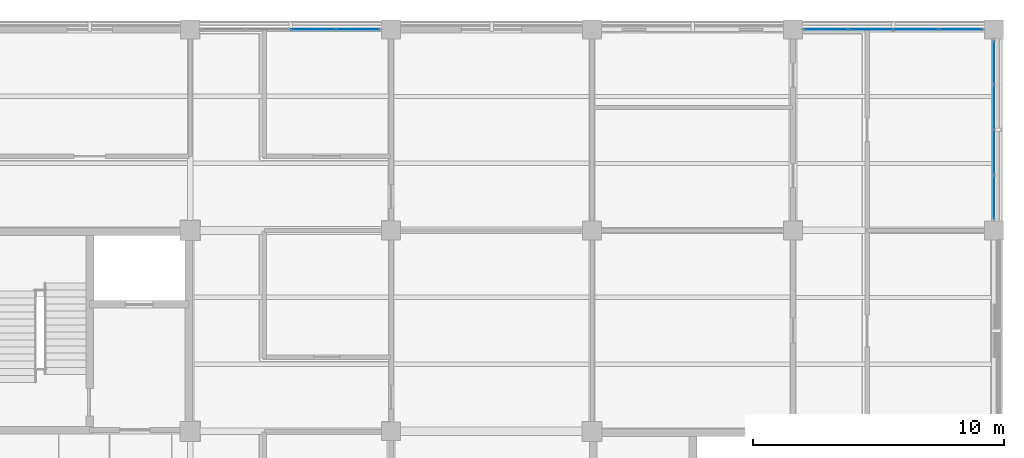
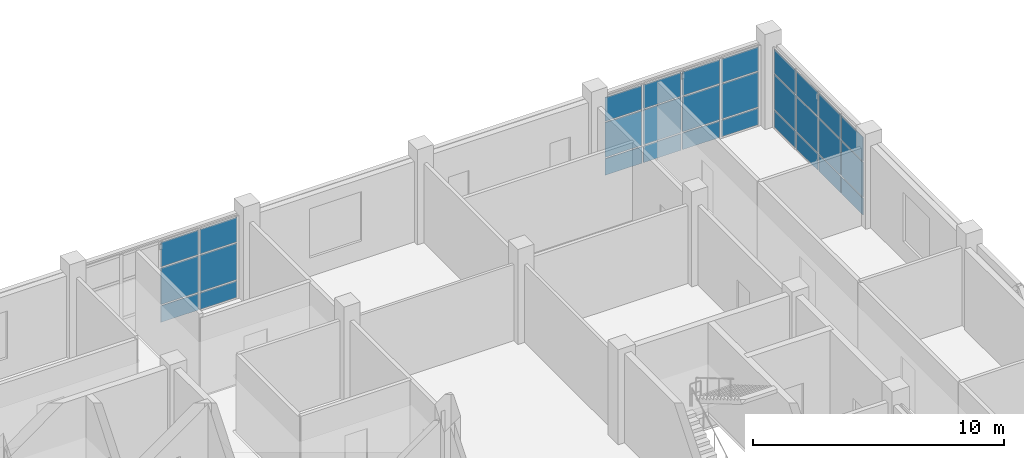
# One storey, part 73 of 121: 30 plates, 3 elements without a shape of their own.
"""IFC4 building model written with IfcOpenShell, lengths in metres."""

from ifc_helpers import new_model, si_unit, derived_unit, direction, frame, origin, origin_2d, place, context, subcontext, project, spatial, rectangle, extrude, material, layer, layer_set, type_object, element, aggregate, save


model = new_model("IFC4")

# Units and contexts
model_context = context("Model", 3, precision=1e-05, world=origin(), true_north=direction((0.0, 1.0)))
body_context = subcontext(model_context, "Body", "Model", "MODEL_VIEW")
ifc_project = project(units=[si_unit("LENGTHUNIT", "METRE"), si_unit("AREAUNIT", "SQUARE_METRE"), si_unit("VOLUMEUNIT", "CUBIC_METRE"), si_unit("PLANEANGLEUNIT", "RADIAN"), si_unit("MASSUNIT", "GRAM", prefix="KILO"), derived_unit("THERMALTRANSMITTANCEUNIT", [(si_unit("MASSUNIT", "GRAM", prefix="KILO"), 1), (si_unit("TIMEUNIT", "SECOND"), -3), (si_unit("THERMODYNAMICTEMPERATUREUNIT", "KELVIN"), -1)])], contexts=[model_context])

# Site, building, storey
site_placement = place(None, origin())
site = spatial("IfcSite", under=ifc_project, at=site_placement, CompositionType="ELEMENT")
building_placement = place(site_placement, origin())
building = spatial("IfcBuilding", under=site, at=building_placement, Name="Veyamyaing Civic Hall", CompositionType="ELEMENT")
storey_placement = place(building_placement, frame((0.0, 0.0, 5.280029296875)))
storey = spatial("IfcBuildingStorey", under=building, at=storey_placement, Name="L01", CompositionType="ELEMENT", Elevation=5.280029296875)

# Curtain wall, plates
ifc_material_1 = material(Name="Anodised aluminium 6063-T6", Category="aluminium")
ifc_layer_1 = layer(ifc_material_1, 0.159912109375, Name="Anodised aluminium 6063-T6")
ifc_layer_set_1 = layer_set([ifc_layer_1], Name="Anodised aluminium 6063-T6")
curtain_wall_type = type_object("IfcCurtainWallType", Name="CW-02", PredefinedType="NOTDEFINED", material=ifc_layer_set_1)
curtain_wall_1_placement = place(storey_placement, origin())
curtain_wall_1 = element("IfcCurtainWall", 1, at=curtain_wall_1_placement, inside=storey, type_object=curtain_wall_type, Name="Unitized curtain wall CW-02 L01 N 22.14", PredefinedType="NOTDEFINED")
ifc_material_2 = material(Name="Low-E insulated glass", Category="glass")
ifc_layer_2 = layer(ifc_material_2, 0.028076171875, Name="Low-E insulated glass")
ifc_layer_set_2 = layer_set([ifc_layer_2], Name="Low-E insulated glass")
plate_type_1 = type_object("IfcPlateType", Name="CWP-01", PredefinedType="CURTAIN_PANEL", material=ifc_layer_set_2)
plate_1_placement = place(storey_placement, frame((169.320068359375, 112.0, 0.06494140625), z_axis=(0.0, 0.0, 1.0), x_axis=(1.0, 0.0, 0.0)))
plate_1 = element("IfcPlate", 2, at=plate_1_placement, type_object=plate_type_1, Name="CW-02 panel 1.1", PredefinedType="CURTAIN_PANEL", context=body_context, shape_type="SweptSolid", body=[
    extrude(rectangle(XDim=1.699951171875, YDim=0.028076171875, at=origin_2d()), origin(), (0.0, 0.0, 1.0), 0.802490234375),
])
plate_2_placement = place(storey_placement, frame((169.320068359375, 112.0, 0.932373046875), z_axis=(0.0, 0.0, 1.0), x_axis=(1.0, 0.0, 0.0)))
plate_2 = element("IfcPlate", 3, at=plate_2_placement, type_object=plate_type_1, Name="CW-02 panel 1.2", PredefinedType="CURTAIN_PANEL", context=body_context, shape_type="SweptSolid", body=[
    extrude(rectangle(XDim=1.699951171875, YDim=0.028076171875, at=origin_2d()), origin(), (0.0, 0.0, 1.0), 1.69384765625),
])
plate_3_placement = place(storey_placement, frame((169.320068359375, 112.0, 2.691162109375), z_axis=(0.0, 0.0, 1.0), x_axis=(1.0, 0.0, 0.0)))
plate_3 = element("IfcPlate", 4, at=plate_3_placement, type_object=plate_type_1, Name="CW-02 panel 1.3", PredefinedType="CURTAIN_PANEL", context=body_context, shape_type="SweptSolid", body=[
    extrude(rectangle(XDim=1.699951171875, YDim=0.028076171875, at=origin_2d()), origin(), (0.0, 0.0, 1.0), 1.15380859375),
])
plate_4_placement = place(storey_placement, frame((171.101318359375, 112.0, 0.06494140625), z_axis=(0.0, 0.0, 1.0), x_axis=(1.0, 0.0, 0.0)))
plate_4 = element("IfcPlate", 5, at=plate_4_placement, type_object=plate_type_1, Name="CW-02 panel 2.1", PredefinedType="CURTAIN_PANEL", context=body_context, shape_type="SweptSolid", body=[
    extrude(rectangle(XDim=1.732421875, YDim=0.028076171875, at=origin_2d()), origin(), (0.0, 0.0, 1.0), 0.802490234375),
])
plate_5_placement = place(storey_placement, frame((171.101318359375, 112.0, 0.932373046875), z_axis=(0.0, 0.0, 1.0), x_axis=(1.0, 0.0, 0.0)))
plate_5 = element("IfcPlate", 6, at=plate_5_placement, type_object=plate_type_1, Name="CW-02 panel 2.2", PredefinedType="CURTAIN_PANEL", context=body_context, shape_type="SweptSolid", body=[
    extrude(rectangle(XDim=1.732421875, YDim=0.028076171875, at=origin_2d()), origin(), (0.0, 0.0, 1.0), 1.69384765625),
])
plate_6_placement = place(storey_placement, frame((171.101318359375, 112.0, 2.691162109375), z_axis=(0.0, 0.0, 1.0), x_axis=(1.0, 0.0, 0.0)))
plate_6 = element("IfcPlate", 7, at=plate_6_placement, type_object=plate_type_1, Name="CW-02 panel 2.3", PredefinedType="CURTAIN_PANEL", context=body_context, shape_type="SweptSolid", body=[
    extrude(rectangle(XDim=1.732421875, YDim=0.028076171875, at=origin_2d()), origin(), (0.0, 0.0, 1.0), 1.15380859375),
])
plate_7_placement = place(storey_placement, frame((172.898681640625, 112.0, 0.06494140625), z_axis=(0.0, 0.0, 1.0), x_axis=(1.0, 0.0, 0.0)))
plate_7 = element("IfcPlate", 8, at=plate_7_placement, type_object=plate_type_1, Name="CW-02 panel 3.1", PredefinedType="CURTAIN_PANEL", context=body_context, shape_type="SweptSolid", body=[
    extrude(rectangle(XDim=1.732421875, YDim=0.028076171875, at=origin_2d()), origin(), (0.0, 0.0, 1.0), 0.802490234375),
])
plate_8_placement = place(storey_placement, frame((172.898681640625, 112.0, 0.932373046875), z_axis=(0.0, 0.0, 1.0), x_axis=(1.0, 0.0, 0.0)))
plate_8 = element("IfcPlate", 9, at=plate_8_placement, type_object=plate_type_1, Name="CW-02 panel 3.2", PredefinedType="CURTAIN_PANEL", context=body_context, shape_type="SweptSolid", body=[
    extrude(rectangle(XDim=1.732421875, YDim=0.028076171875, at=origin_2d()), origin(), (0.0, 0.0, 1.0), 1.69384765625),
])
plate_9_placement = place(storey_placement, frame((172.898681640625, 112.0, 2.691162109375), z_axis=(0.0, 0.0, 1.0), x_axis=(1.0, 0.0, 0.0)))
plate_9 = element("IfcPlate", 10, at=plate_9_placement, type_object=plate_type_1, Name="CW-02 panel 3.3", PredefinedType="CURTAIN_PANEL", context=body_context, shape_type="SweptSolid", body=[
    extrude(rectangle(XDim=1.732421875, YDim=0.028076171875, at=origin_2d()), origin(), (0.0, 0.0, 1.0), 1.15380859375),
])
plate_10_placement = place(storey_placement, frame((174.679931640625, 112.0, 0.06494140625), z_axis=(0.0, 0.0, 1.0), x_axis=(1.0, 0.0, 0.0)))
plate_10 = element("IfcPlate", 11, at=plate_10_placement, type_object=plate_type_1, Name="CW-02 panel 4.1", PredefinedType="CURTAIN_PANEL", context=body_context, shape_type="SweptSolid", body=[
    extrude(rectangle(XDim=1.699951171875, YDim=0.028076171875, at=origin_2d()), origin(), (0.0, 0.0, 1.0), 0.802490234375),
])
plate_11_placement = place(storey_placement, frame((174.679931640625, 112.0, 0.932373046875), z_axis=(0.0, 0.0, 1.0), x_axis=(1.0, 0.0, 0.0)))
plate_11 = element("IfcPlate", 12, at=plate_11_placement, type_object=plate_type_1, Name="CW-02 panel 4.2", PredefinedType="CURTAIN_PANEL", context=body_context, shape_type="SweptSolid", body=[
    extrude(rectangle(XDim=1.699951171875, YDim=0.028076171875, at=origin_2d()), origin(), (0.0, 0.0, 1.0), 1.69384765625),
])
plate_12_placement = place(storey_placement, frame((174.679931640625, 112.0, 2.691162109375), z_axis=(0.0, 0.0, 1.0), x_axis=(1.0, 0.0, 0.0)))
plate_12 = element("IfcPlate", 13, at=plate_12_placement, type_object=plate_type_1, Name="CW-02 panel 4.3", PredefinedType="CURTAIN_PANEL", context=body_context, shape_type="SweptSolid", body=[
    extrude(rectangle(XDim=1.699951171875, YDim=0.028076171875, at=origin_2d()), origin(), (0.0, 0.0, 1.0), 1.15380859375),
])
aggregate(curtain_wall_1, [plate_1, plate_2, plate_3, plate_4, plate_5, plate_6, plate_7, plate_8, plate_9, plate_10, plate_11, plate_12])

curtain_wall_2_placement = place(storey_placement, origin())
curtain_wall_2 = element("IfcCurtainWall", 14, at=curtain_wall_2_placement, inside=storey, type_object=curtain_wall_type, Name="Unitized curtain wall CW-02 L01 E 22.14", PredefinedType="NOTDEFINED")
plate_13_placement = place(storey_placement, frame((176.0, 105.320068359375, 0.06494140625), z_axis=(0.0, 0.0, 1.0), x_axis=(0.0, 1.0, 0.0)))
plate_13 = element("IfcPlate", 15, at=plate_13_placement, type_object=plate_type_1, Name="CW-02 panel 1.1", PredefinedType="CURTAIN_PANEL", context=body_context, shape_type="SweptSolid", body=[
    extrude(rectangle(XDim=1.699951171875, YDim=0.028076171875, at=origin_2d()), origin(), (0.0, 0.0, 1.0), 0.802490234375),
])
plate_14_placement = place(storey_placement, frame((176.0, 105.320068359375, 0.932373046875), z_axis=(0.0, 0.0, 1.0), x_axis=(0.0, 1.0, 0.0)))
plate_14 = element("IfcPlate", 16, at=plate_14_placement, type_object=plate_type_1, Name="CW-02 panel 1.2", PredefinedType="CURTAIN_PANEL", context=body_context, shape_type="SweptSolid", body=[
    extrude(rectangle(XDim=1.699951171875, YDim=0.028076171875, at=origin_2d()), origin(), (0.0, 0.0, 1.0), 1.69384765625),
])
plate_15_placement = place(storey_placement, frame((176.0, 105.320068359375, 2.691162109375), z_axis=(0.0, 0.0, 1.0), x_axis=(0.0, 1.0, 0.0)))
plate_15 = element("IfcPlate", 17, at=plate_15_placement, type_object=plate_type_1, Name="CW-02 panel 1.3", PredefinedType="CURTAIN_PANEL", context=body_context, shape_type="SweptSolid", body=[
    extrude(rectangle(XDim=1.699951171875, YDim=0.028076171875, at=origin_2d()), origin(), (0.0, 0.0, 1.0), 1.15380859375),
])
plate_16_placement = place(storey_placement, frame((176.0, 107.101318359375, 0.06494140625), z_axis=(0.0, 0.0, 1.0), x_axis=(0.0, 1.0, 0.0)))
plate_16 = element("IfcPlate", 18, at=plate_16_placement, type_object=plate_type_1, Name="CW-02 panel 2.1", PredefinedType="CURTAIN_PANEL", context=body_context, shape_type="SweptSolid", body=[
    extrude(rectangle(XDim=1.732421875, YDim=0.028076171875, at=origin_2d()), origin(), (0.0, 0.0, 1.0), 0.802490234375),
])
plate_17_placement = place(storey_placement, frame((176.0, 107.101318359375, 0.932373046875), z_axis=(0.0, 0.0, 1.0), x_axis=(0.0, 1.0, 0.0)))
plate_17 = element("IfcPlate", 19, at=plate_17_placement, type_object=plate_type_1, Name="CW-02 panel 2.2", PredefinedType="CURTAIN_PANEL", context=body_context, shape_type="SweptSolid", body=[
    extrude(rectangle(XDim=1.732421875, YDim=0.028076171875, at=origin_2d()), origin(), (0.0, 0.0, 1.0), 1.69384765625),
])
plate_18_placement = place(storey_placement, frame((176.0, 107.101318359375, 2.691162109375), z_axis=(0.0, 0.0, 1.0), x_axis=(0.0, 1.0, 0.0)))
plate_18 = element("IfcPlate", 20, at=plate_18_placement, type_object=plate_type_1, Name="CW-02 panel 2.3", PredefinedType="CURTAIN_PANEL", context=body_context, shape_type="SweptSolid", body=[
    extrude(rectangle(XDim=1.732421875, YDim=0.028076171875, at=origin_2d()), origin(), (0.0, 0.0, 1.0), 1.15380859375),
])
plate_19_placement = place(storey_placement, frame((176.0, 108.898681640625, 0.06494140625), z_axis=(0.0, 0.0, 1.0), x_axis=(0.0, 1.0, 0.0)))
plate_19 = element("IfcPlate", 21, at=plate_19_placement, type_object=plate_type_1, Name="CW-02 panel 3.1", PredefinedType="CURTAIN_PANEL", context=body_context, shape_type="SweptSolid", body=[
    extrude(rectangle(XDim=1.732421875, YDim=0.028076171875, at=origin_2d()), origin(), (0.0, 0.0, 1.0), 0.802490234375),
])
plate_20_placement = place(storey_placement, frame((176.0, 108.898681640625, 0.932373046875), z_axis=(0.0, 0.0, 1.0), x_axis=(0.0, 1.0, 0.0)))
plate_20 = element("IfcPlate", 22, at=plate_20_placement, type_object=plate_type_1, Name="CW-02 panel 3.2", PredefinedType="CURTAIN_PANEL", context=body_context, shape_type="SweptSolid", body=[
    extrude(rectangle(XDim=1.732421875, YDim=0.028076171875, at=origin_2d()), origin(), (0.0, 0.0, 1.0), 1.69384765625),
])
plate_21_placement = place(storey_placement, frame((176.0, 108.898681640625, 2.691162109375), z_axis=(0.0, 0.0, 1.0), x_axis=(0.0, 1.0, 0.0)))
plate_21 = element("IfcPlate", 23, at=plate_21_placement, type_object=plate_type_1, Name="CW-02 panel 3.3", PredefinedType="CURTAIN_PANEL", context=body_context, shape_type="SweptSolid", body=[
    extrude(rectangle(XDim=1.732421875, YDim=0.028076171875, at=origin_2d()), origin(), (0.0, 0.0, 1.0), 1.15380859375),
])
plate_22_placement = place(storey_placement, frame((176.0, 110.679931640625, 0.06494140625), z_axis=(0.0, 0.0, 1.0), x_axis=(0.0, 1.0, 0.0)))
plate_22 = element("IfcPlate", 24, at=plate_22_placement, type_object=plate_type_1, Name="CW-02 panel 4.1", PredefinedType="CURTAIN_PANEL", context=body_context, shape_type="SweptSolid", body=[
    extrude(rectangle(XDim=1.699951171875, YDim=0.028076171875, at=origin_2d()), origin(), (0.0, 0.0, 1.0), 0.802490234375),
])
plate_23_placement = place(storey_placement, frame((176.0, 110.679931640625, 0.932373046875), z_axis=(0.0, 0.0, 1.0), x_axis=(0.0, 1.0, 0.0)))
plate_23 = element("IfcPlate", 25, at=plate_23_placement, type_object=plate_type_1, Name="CW-02 panel 4.2", PredefinedType="CURTAIN_PANEL", context=body_context, shape_type="SweptSolid", body=[
    extrude(rectangle(XDim=1.699951171875, YDim=0.028076171875, at=origin_2d()), origin(), (0.0, 0.0, 1.0), 1.69384765625),
])
plate_24_placement = place(storey_placement, frame((176.0, 110.679931640625, 2.691162109375), z_axis=(0.0, 0.0, 1.0), x_axis=(0.0, 1.0, 0.0)))
plate_24 = element("IfcPlate", 26, at=plate_24_placement, type_object=plate_type_1, Name="CW-02 panel 4.3", PredefinedType="CURTAIN_PANEL", context=body_context, shape_type="SweptSolid", body=[
    extrude(rectangle(XDim=1.699951171875, YDim=0.028076171875, at=origin_2d()), origin(), (0.0, 0.0, 1.0), 1.15380859375),
])
aggregate(curtain_wall_2, [plate_13, plate_14, plate_15, plate_16, plate_17, plate_18, plate_19, plate_20, plate_21, plate_22, plate_23, plate_24])

curtain_wall_3_placement = place(storey_placement, origin())
curtain_wall_3 = element("IfcCurtainWall", 27, at=curtain_wall_3_placement, inside=storey, type_object=curtain_wall_type, Name="Unitized curtain wall CW-02 L01 N 19.14", PredefinedType="NOTDEFINED")
ifc_layer_3 = layer(ifc_material_2, 0.02392578125, Name="Low-E insulated glass")
ifc_layer_set_3 = layer_set([ifc_layer_3], Name="Low-E insulated glass")
plate_type_2 = type_object("IfcPlateType", Name="CWP-04", PredefinedType="CURTAIN_PANEL", material=ifc_layer_set_3)
plate_25_placement = place(storey_placement, frame((148.898681640625, 112.0, 0.06494140625), z_axis=(0.0, 0.0, 1.0), x_axis=(1.0, 0.0, 0.0)))
plate_25 = element("IfcPlate", 28, at=plate_25_placement, type_object=plate_type_2, Name="CW-02 panel 3.1", PredefinedType="CURTAIN_PANEL", context=body_context, shape_type="SweptSolid", body=[
    extrude(rectangle(XDim=1.732421875, YDim=0.02392578125, at=origin_2d()), origin(), (0.0, 0.0, 1.0), 0.802490234375),
])
plate_26_placement = place(storey_placement, frame((148.898681640625, 112.0, 0.9326171875), z_axis=(0.0, 0.0, 1.0), x_axis=(1.0, 0.0, 0.0)))
plate_26 = element("IfcPlate", 29, at=plate_26_placement, type_object=plate_type_2, Name="CW-02 panel 3.2", PredefinedType="CURTAIN_PANEL", context=body_context, shape_type="SweptSolid", body=[
    extrude(rectangle(XDim=1.732421875, YDim=0.02392578125, at=origin_2d()), origin(), (0.0, 0.0, 1.0), 1.767822265625),
])
plate_27_placement = place(storey_placement, frame((148.898681640625, 112.0, 2.76513671875), z_axis=(0.0, 0.0, 1.0), x_axis=(1.0, 0.0, 0.0)))
plate_27 = element("IfcPlate", 30, at=plate_27_placement, type_object=plate_type_2, Name="CW-02 panel 3.3", PredefinedType="CURTAIN_PANEL", context=body_context, shape_type="SweptSolid", body=[
    extrude(rectangle(XDim=1.732421875, YDim=0.02392578125, at=origin_2d()), origin(), (0.0, 0.0, 1.0), 1.188720703125),
])
plate_28_placement = place(storey_placement, frame((150.679931640625, 112.0, 0.06494140625), z_axis=(0.0, 0.0, 1.0), x_axis=(1.0, 0.0, 0.0)))
plate_28 = element("IfcPlate", 31, at=plate_28_placement, type_object=plate_type_2, Name="CW-02 panel 4.1", PredefinedType="CURTAIN_PANEL", context=body_context, shape_type="SweptSolid", body=[
    extrude(rectangle(XDim=1.699951171875, YDim=0.02392578125, at=origin_2d()), origin(), (0.0, 0.0, 1.0), 0.802490234375),
])
plate_29_placement = place(storey_placement, frame((150.679931640625, 112.0, 0.9326171875), z_axis=(0.0, 0.0, 1.0), x_axis=(1.0, 0.0, 0.0)))
plate_29 = element("IfcPlate", 32, at=plate_29_placement, type_object=plate_type_2, Name="CW-02 panel 4.2", PredefinedType="CURTAIN_PANEL", context=body_context, shape_type="SweptSolid", body=[
    extrude(rectangle(XDim=1.699951171875, YDim=0.02392578125, at=origin_2d()), origin(), (0.0, 0.0, 1.0), 1.767822265625),
])
plate_30_placement = place(storey_placement, frame((150.679931640625, 112.0, 2.76513671875), z_axis=(0.0, 0.0, 1.0), x_axis=(1.0, 0.0, 0.0)))
plate_30 = element("IfcPlate", 33, at=plate_30_placement, type_object=plate_type_2, Name="CW-02 panel 4.3", PredefinedType="CURTAIN_PANEL", context=body_context, shape_type="SweptSolid", body=[
    extrude(rectangle(XDim=1.699951171875, YDim=0.02392578125, at=origin_2d()), origin(), (0.0, 0.0, 1.0), 1.188720703125),
])
aggregate(curtain_wall_3, [plate_25, plate_26, plate_27, plate_28, plate_29, plate_30])

save(model, "model.ifc")
